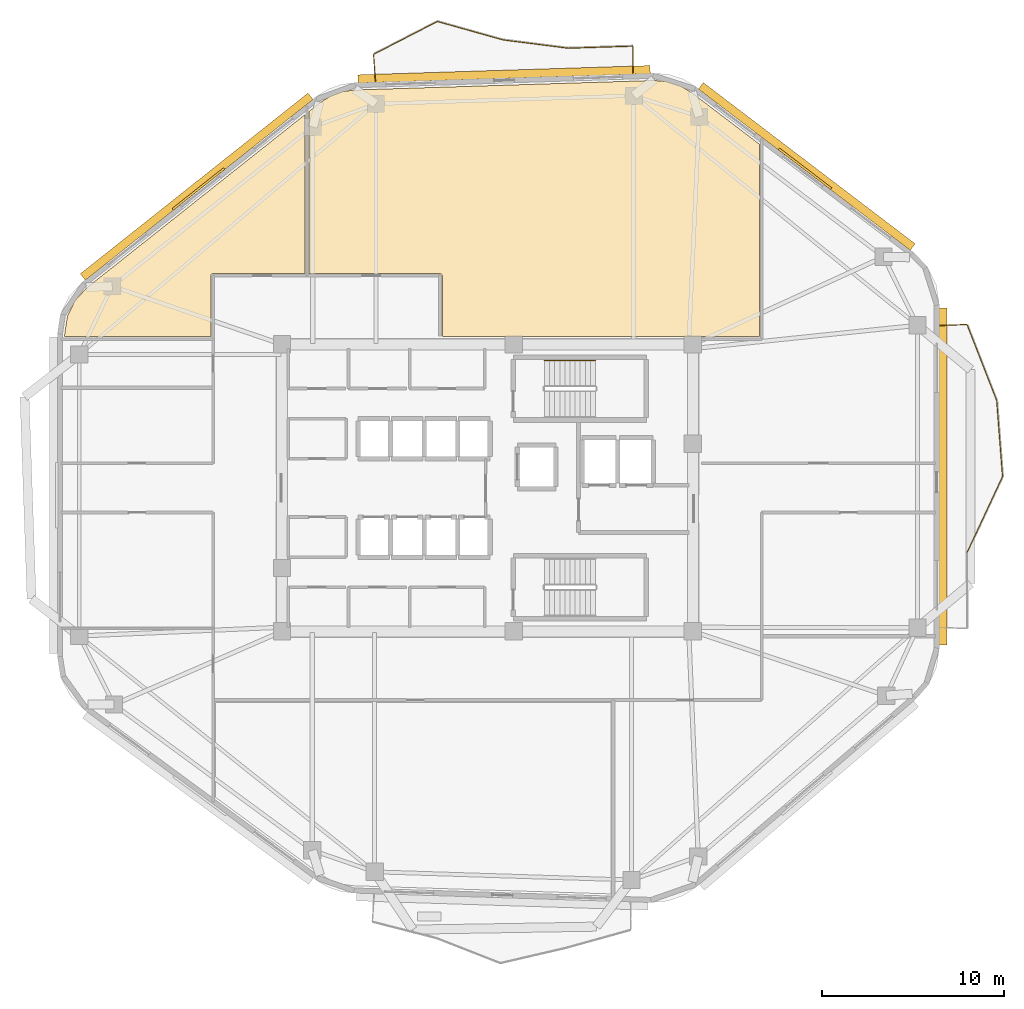
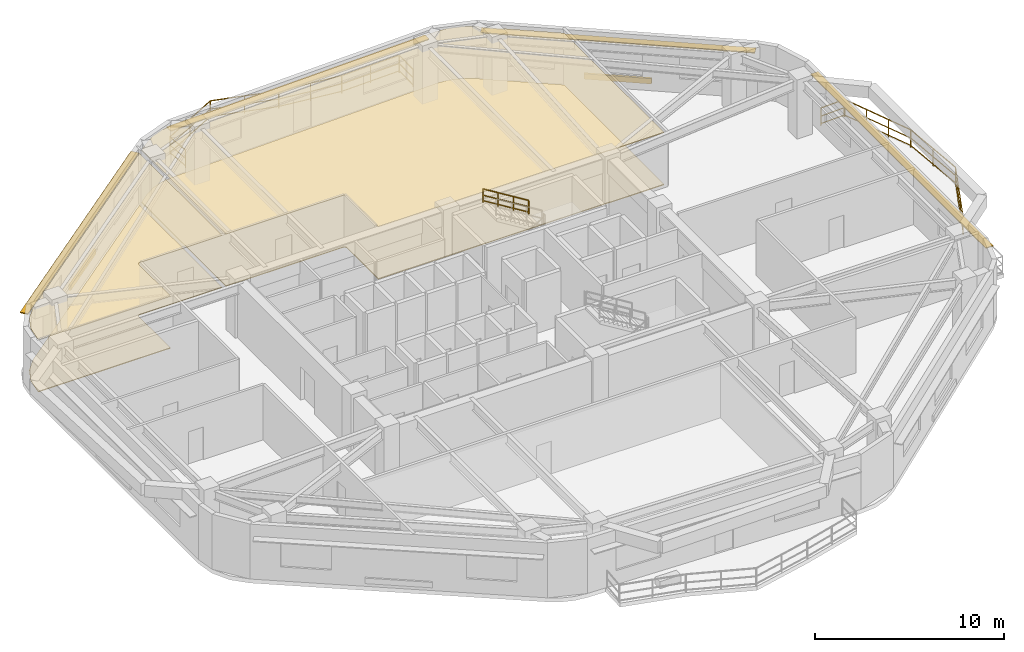
# One storey, part 8 of 8: 11 railings, 6 shading devices, 4 coverings.
"""IFC4 building model written with IfcOpenShell, lengths in metres."""

import ifcopenshell
import ifcopenshell.guid

model = None  # the IFC model being written
_history = None  # IfcOwnerHistory: only IFC2X3 demands one
_inside = {}  # id of a spatial element -> (the spatial element, [elements in it])
_under = {}  # id of a project, library or spatial element -> (it, [spatial elements below it])
_declared = {}  # id of a project -> (the project, [libraries it declares])
_typed = {}  # id of a type object -> (the type object, [elements of that type])
_made_of = {}  # id of a material, layer set ... -> (it, [elements and type objects made of it])


def new_model(schema):
    """Start an empty IFC model of exactly this schema.

    Asked for "IFC4X3", IfcOpenShell would pick the latest addendum, in which some entities
    have other attributes; the version numbers below select the first issue.
    IFC2X3 requires an IfcOwnerHistory on every rooted entity: one is made here for all.
    """
    global model, _history
    if schema == "IFC4X3":
        model = ifcopenshell.file(schema_version=(4, 3, 0, 0))
    else:
        model = ifcopenshell.file(schema=schema)
    _inside.clear()
    _under.clear()
    _declared.clear()
    _typed.clear()
    _made_of.clear()
    _history = None
    if model.schema == "IFC2X3":
        org = make("IfcOrganization", Name="unknown")
        user = make(
            "IfcPersonAndOrganization",
            ThePerson=make("IfcPerson", FamilyName="unknown"),
            TheOrganization=org,
        )
        app = make(
            "IfcApplication",
            ApplicationDeveloper=org,
            Version="unknown",
            ApplicationFullName="unknown",
            ApplicationIdentifier="unknown",
        )
        _history = make(
            "IfcOwnerHistory",
            OwningUser=user,
            OwningApplication=app,
            ChangeAction="ADDED",
            CreationDate=0,
        )
    return model


def make(cls, **values):
    """One entity of the class cls with the attributes given. An attribute that is None is left unset."""
    return model.create_entity(
        cls, **{name: value for name, value in values.items() if value is not None}
    )


def rooted(cls, **values):
    """An entity with a GlobalId (a new one), such as an element, a storey or a relation."""
    return make(cls, GlobalId=ifcopenshell.guid.new(), OwnerHistory=_history, **values)


def si_unit(unit_type, name, prefix=None):
    """IfcSIUnit, for example si_unit("LENGTHUNIT", "METRE", prefix="MILLI")."""
    return make("IfcSIUnit", UnitType=unit_type, Prefix=prefix, Name=name)


def assignment(units):
    """IfcUnitAssignment: the units of a project."""
    return None if units is None else make("IfcUnitAssignment", Units=units)


def point(xyz):
    """IfcCartesianPoint."""
    return None if xyz is None else make("IfcCartesianPoint", Coordinates=xyz)


def direction(xyz):
    """IfcDirection."""
    return None if xyz is None else make("IfcDirection", DirectionRatios=xyz)


def frame(location, z_axis=None, x_axis=None):
    """IfcAxis2Placement3D, a coordinate frame: its origin and axes. An axis left out is left unset."""
    return make(
        "IfcAxis2Placement3D",
        Location=point(location),
        Axis=direction(z_axis),
        RefDirection=direction(x_axis),
    )


def frame_2d(location, x_axis=None):
    """IfcAxis2Placement2D, a coordinate frame in the plane: its origin and x axis."""
    return make(
        "IfcAxis2Placement2D", Location=point(location), RefDirection=direction(x_axis)
    )


def origin():
    """The frame at (0, 0, 0) with its axes left unset."""
    return frame((0.0, 0.0, 0.0))


def origin_2d():
    """The frame at (0, 0) in the plane with its x axis left unset."""
    return frame_2d((0.0, 0.0))


def place(relative_to, where):
    """IfcLocalPlacement: puts the frame where relative to a parent placement (None: the world)."""
    return make(
        "IfcLocalPlacement", PlacementRelTo=relative_to, RelativePlacement=where
    )


def context(
    kind, dimensions, precision=None, world=None, true_north=None, identifier=None
):
    """IfcGeometricRepresentationContext, for example the 3D "Model" context."""
    return make(
        "IfcGeometricRepresentationContext",
        ContextIdentifier=identifier,
        ContextType=kind,
        CoordinateSpaceDimension=dimensions,
        Precision=precision,
        WorldCoordinateSystem=world,
        TrueNorth=true_north,
    )


def subcontext(parent, identifier, kind, view, scale=None):
    """IfcGeometricRepresentationSubContext, for example "Body" below "Model"."""
    return make(
        "IfcGeometricRepresentationSubContext",
        ContextIdentifier=identifier,
        ContextType=kind,
        ParentContext=parent,
        TargetScale=scale,
        TargetView=view,
    )


def project(units=None, contexts=None):
    """IfcProject with its units and contexts."""
    return rooted(
        "IfcProject",
        Name="project",
        RepresentationContexts=contexts,
        UnitsInContext=assignment(units),
    )


def spatial(cls, under=None, at=None, **own):
    """A site, building, storey or space (cls), placed at a placement, below another one or the project."""
    s = rooted(cls, ObjectPlacement=at, **own)
    if under is not None:
        _under.setdefault(under.id(), (under, []))[1].append(s)
    return s


def polyline(points):
    """IfcPolyline through the points."""
    return make("IfcPolyline", Points=[point(p) for p in points])


def profile(cls, at=None, kind="AREA", **sizes):
    """A parametric profile (cls). Its sizes go by their IFC names, for example OverallWidth=200.0."""
    return make(cls, ProfileType=kind, Position=at, **sizes)


def rectangle(**sizes):
    """IfcRectangleProfileDef."""
    return profile("IfcRectangleProfileDef", **sizes)


def outline(outer, holes=None, kind="AREA"):
    """IfcArbitraryClosedProfileDef: a profile drawn as a closed curve; with holes, ...WithVoids."""
    if holes is None:
        return make("IfcArbitraryClosedProfileDef", ProfileType=kind, OuterCurve=outer)
    return make(
        "IfcArbitraryProfileDefWithVoids",
        ProfileType=kind,
        OuterCurve=outer,
        InnerCurves=holes,
    )


def extrude(swept, where, along, depth):
    """IfcExtrudedAreaSolid: the profile swept, set in the frame where, extruded along a direction by depth."""
    return make(
        "IfcExtrudedAreaSolid",
        SweptArea=swept,
        Position=where,
        ExtrudedDirection=direction(along),
        Depth=depth,
    )


def shape(context_of_items, identifier, shape_type, items):
    """IfcShapeRepresentation: the items that make up one representation, for example the "Body"."""
    return make(
        "IfcShapeRepresentation",
        ContextOfItems=context_of_items,
        RepresentationIdentifier=identifier,
        RepresentationType=shape_type,
        Items=items,
    )


def material(Name=None, Category=None):
    """IfcMaterial."""
    return make("IfcMaterial", Name=Name, Category=Category)


def layer(
    of_material, thickness, ventilated=None, Name=None, Category=None, Priority=None
):
    """IfcMaterialLayer: one layer of a wall or slab, of a material (None: an air gap)."""
    return make(
        "IfcMaterialLayer",
        Material=of_material,
        LayerThickness=thickness,
        IsVentilated=ventilated,
        Name=Name,
        Category=Category,
        Priority=Priority,
    )


def layer_set(layers, Name=None):
    """IfcMaterialLayerSet."""
    return make("IfcMaterialLayerSet", MaterialLayers=layers, LayerSetName=Name)


def made_of(thing, what):
    """Note that an element or type object is made of a material, layer set ...; save() writes the relation."""
    if what is not None:
        _made_of.setdefault(what.id(), (what, []))[1].append(thing)
    return thing


def type_object(cls, material=None, **own):
    """A type object (cls), such as IfcWallType, which elements share."""
    return made_of(rooted(cls, **own), material)


def element(
    cls,
    number,
    at=None,
    inside=None,
    cuts=None,
    type_object=None,
    material=None,
    context=None,
    identifier="Body",
    shape_type=None,
    held_by="IfcProductDefinitionShape",
    body=None,
    shapes=None,
    **own,
):
    """One element of the class cls, such as IfcWall. Its Tag is "e" and its number.

    at: its placement. inside: the storey or other place that contains it. cuts: it is an
    opening in that element (IfcRelVoidsElement). A single representation is given by context,
    identifier, shape_type and body (its items); several are given by shapes. held_by: the class
    of the entity that holds the representations. save() writes the other relations.
    """
    e = rooted(cls, Tag="e%d" % number, ObjectPlacement=at, **own)
    if body is not None:
        shapes = [shape(context, identifier, shape_type, body)]
    if shapes is not None:
        e.Representation = make(held_by, Representations=shapes)
    if inside is not None:
        _inside.setdefault(inside.id(), (inside, []))[1].append(e)
    if cuts is not None:
        rooted(
            "IfcRelVoidsElement", RelatingBuildingElement=cuts, RelatedOpeningElement=e
        )
    if type_object is not None:
        _typed.setdefault(type_object.id(), (type_object, []))[1].append(e)
    return made_of(e, material)


def aggregate(whole, parts):
    """IfcRelAggregates: a whole, such as a stair, and the parts it consists of."""
    return rooted("IfcRelAggregates", RelatingObject=whole, RelatedObjects=parts)


def save(model, path):
    """Write the relations noted so far, then the file.

    IfcRelAggregates (storeys below a building ...), IfcRelContainedInSpatialStructure (elements
    in a storey), IfcRelDefinesByType, IfcRelAssociatesMaterial and IfcRelDeclares: one each for
    every whole, place, type object, material and project.
    """
    for whole, parts in _under.values():
        aggregate(whole, parts)
    for where, things in _inside.values():
        rooted(
            "IfcRelContainedInSpatialStructure",
            RelatedElements=things,
            RelatingStructure=where,
        )
    for kind, things in _typed.values():
        rooted("IfcRelDefinesByType", RelatedObjects=things, RelatingType=kind)
    for what, things in _made_of.values():
        rooted("IfcRelAssociatesMaterial", RelatedObjects=things, RelatingMaterial=what)
    for by, libraries in _declared.values():
        rooted("IfcRelDeclares", RelatingContext=by, RelatedDefinitions=libraries)
    model.write(path)


model = new_model("IFC4")

# Units and contexts
model_context = context("Model", 3, precision=1e-05, world=origin(), true_north=direction((0.0, 1.0)))
body_context = subcontext(model_context, "Body", "Model", "MODEL_VIEW")
ifc_project = project(units=[si_unit("LENGTHUNIT", "METRE"), si_unit("AREAUNIT", "SQUARE_METRE"), si_unit("VOLUMEUNIT", "CUBIC_METRE"), si_unit("PLANEANGLEUNIT", "RADIAN"), si_unit("MASSUNIT", "GRAM", prefix="KILO")], contexts=[model_context])

# Site, building, storey
site_placement = place(None, origin())
site = spatial("IfcSite", under=ifc_project, at=site_placement, CompositionType="ELEMENT")
building_placement = place(site_placement, origin())
building = spatial("IfcBuilding", under=site, at=building_placement, Name="Zulverin Broadcast Headquarters", CompositionType="ELEMENT")
storey_placement = place(building_placement, frame((0.0, 0.0, 166.800048828125)))
storey = spatial("IfcBuildingStorey", under=building, at=storey_placement, Name="L42", CompositionType="ELEMENT", Elevation=166.800048828125)

# Coverings
ifc_material_1 = material(Name="Perforated pale-metal acoustic baffle ceiling", Category="aluminium")
ifc_layer_1 = layer(ifc_material_1, 0.0400390625, Name="Perforated pale-metal acoustic baffle ceiling", Category="aluminium")
ifc_layer_set_1 = layer_set([ifc_layer_1], Name="Perforated pale-metal acoustic baffle ceiling")
covering_type_1 = type_object("IfcCoveringType", Name="COV-CEIL-ACOU", PredefinedType="CEILING", material=ifc_layer_set_1)
covering_1_placement = place(storey_placement, frame((0.0, 0.0, 3.35986328125)))
element("IfcCovering", 1, at=covering_1_placement, inside=storey, type_object=covering_type_1, Name="L42 Acoustic Baffle Ceiling 01", PredefinedType="CEILING", context=body_context, shape_type="SweptSolid", body=[
    extrude(outline(polyline([(21.951904296875, 36.971923828125), (26.97998046875, 36.971923828125), (26.97998046875, 45.679931640625), (15.031982421875, 36.199951171875), (14.364013671875, 35.47607421875), (13.947998046875, 34.615966796875), (13.800048828125, 33.64404296875), (13.800048828125, 33.5), (21.83203125, 33.5), (21.83203125, 36.85205078125), (21.83203125, 36.864013671875), (21.8359375, 36.8759765625), (21.8359375, 36.887939453125), (21.840087890625, 36.89599609375), (21.847900390625, 36.907958984375), (21.85205078125, 36.919921875), (21.860107421875, 36.927978515625), (21.867919921875, 36.93603515625), (21.8759765625, 36.944091796875), (21.884033203125, 36.951904296875), (21.89599609375, 36.9560546875), (21.907958984375, 36.964111328125), (21.916015625, 36.968017578125), (21.927978515625, 36.968017578125), (21.93994140625, 36.971923828125), (21.951904296875, 36.971923828125)])), origin(), (0.0, 0.0, 1.0), 0.0400390625),
])
covering_2_placement = place(storey_placement, frame((0.0, 0.0, 3.35986328125)))
element("IfcCovering", 2, at=covering_2_placement, inside=storey, type_object=covering_type_1, Name="L42 Acoustic Baffle Ceiling 02", PredefinedType="CEILING", context=body_context, shape_type="SweptSolid", body=[
    extrude(outline(polyline([(29.031982421875, 46.944091796875), (28.39599609375, 46.7080078125), (27.803955078125, 46.33203125), (27.219970703125, 45.867919921875), (27.219970703125, 36.971923828125), (34.360107421875, 36.971923828125), (34.3720703125, 36.971923828125), (34.384033203125, 36.968017578125), (34.39208984375, 36.968017578125), (34.39990234375, 36.964111328125), (34.407958984375, 36.964111328125), (34.419921875, 36.9599609375), (34.427978515625, 36.9560546875), (34.43603515625, 36.951904296875), (34.447998046875, 36.944091796875), (34.4599609375, 36.93603515625), (34.468017578125, 36.927978515625), (34.47607421875, 36.919921875), (34.48388671875, 36.912109375), (34.491943359375, 36.89990234375), (34.5, 36.887939453125), (34.50390625, 36.8798828125), (34.508056640625, 36.8720703125), (34.511962890625, 36.864013671875), (34.51611328125, 36.85205078125), (34.51611328125, 36.843994140625), (34.52001953125, 36.83203125), (34.52001953125, 36.820068359375), (34.52001953125, 33.52001953125), (48.568115234375, 33.52001953125), (48.580078125, 33.52001953125), (48.592041015625, 33.51611328125), (48.60009765625, 33.51611328125), (48.612060546875, 33.511962890625), (48.6201171875, 33.508056640625), (48.635986328125, 33.5), (51.927978515625, 33.5), (51.931884765625, 44.06005859375), (48.2080078125, 46.89208984375), (47.568115234375, 47.27587890625), (46.8759765625, 47.49609375), (46.1279296875, 47.56005859375), (44.10400390625, 47.49609375), (35.7041015625, 47.22802734375), (29.73193359375, 47.0400390625), (29.031982421875, 46.944091796875)])), origin(), (0.0, 0.0, 1.0), 0.0400390625),
])
ifc_material_2 = material(Name="Anti-static broadcast raised access flooring", Category="stone")
ifc_layer_2 = layer(ifc_material_2, 0.050048828125, Name="Anti-static broadcast raised access flooring", Category="stone")
ifc_layer_set_2 = layer_set([ifc_layer_2], Name="Anti-static broadcast raised access flooring")
covering_type_2 = type_object("IfcCoveringType", Name="COV-FLR-RAISED", PredefinedType="FLOORING", material=ifc_layer_set_2)
covering_3_placement = place(storey_placement, origin())
element("IfcCovering", 3, at=covering_3_placement, inside=storey, type_object=covering_type_2, Name="L42 Broadcast Raised Access Flooring 01", PredefinedType="FLOORING", context=body_context, shape_type="SweptSolid", body=[
    extrude(outline(polyline([(21.951904296875, 36.971923828125), (26.97998046875, 36.971923828125), (26.97998046875, 45.679931640625), (15.031982421875, 36.199951171875), (14.364013671875, 35.47607421875), (13.947998046875, 34.615966796875), (13.800048828125, 33.64404296875), (13.800048828125, 33.5), (21.83203125, 33.5), (21.83203125, 36.85205078125), (21.83203125, 36.864013671875), (21.8359375, 36.8759765625), (21.8359375, 36.887939453125), (21.840087890625, 36.89599609375), (21.847900390625, 36.907958984375), (21.85205078125, 36.919921875), (21.860107421875, 36.927978515625), (21.867919921875, 36.93603515625), (21.8759765625, 36.944091796875), (21.884033203125, 36.951904296875), (21.89599609375, 36.9560546875), (21.907958984375, 36.964111328125), (21.916015625, 36.968017578125), (21.927978515625, 36.968017578125), (21.93994140625, 36.971923828125), (21.951904296875, 36.971923828125)])), origin(), (0.0, 0.0, 1.0), 0.050048828125),
])
covering_4_placement = place(storey_placement, origin())
element("IfcCovering", 4, at=covering_4_placement, inside=storey, type_object=covering_type_2, Name="L42 Broadcast Raised Access Flooring 02", PredefinedType="FLOORING", context=body_context, shape_type="SweptSolid", body=[
    extrude(outline(polyline([(29.031982421875, 46.944091796875), (28.39599609375, 46.7080078125), (27.803955078125, 46.33203125), (27.219970703125, 45.867919921875), (27.219970703125, 36.971923828125), (34.360107421875, 36.971923828125), (34.3720703125, 36.971923828125), (34.384033203125, 36.968017578125), (34.39208984375, 36.968017578125), (34.39990234375, 36.964111328125), (34.407958984375, 36.964111328125), (34.419921875, 36.9599609375), (34.427978515625, 36.9560546875), (34.43603515625, 36.951904296875), (34.447998046875, 36.944091796875), (34.4599609375, 36.93603515625), (34.468017578125, 36.927978515625), (34.47607421875, 36.919921875), (34.48388671875, 36.912109375), (34.491943359375, 36.89990234375), (34.5, 36.887939453125), (34.50390625, 36.8798828125), (34.508056640625, 36.8720703125), (34.511962890625, 36.864013671875), (34.51611328125, 36.85205078125), (34.51611328125, 36.843994140625), (34.52001953125, 36.83203125), (34.52001953125, 36.820068359375), (34.52001953125, 33.52001953125), (48.568115234375, 33.52001953125), (48.580078125, 33.52001953125), (48.592041015625, 33.51611328125), (48.60009765625, 33.51611328125), (48.612060546875, 33.511962890625), (48.6201171875, 33.508056640625), (48.635986328125, 33.5), (51.927978515625, 33.5), (51.931884765625, 44.06005859375), (48.2080078125, 46.89208984375), (47.568115234375, 47.27587890625), (46.8759765625, 47.49609375), (46.1279296875, 47.56005859375), (44.10400390625, 47.49609375), (35.7041015625, 47.22802734375), (29.73193359375, 47.0400390625), (29.031982421875, 46.944091796875)])), origin(), (0.0, 0.0, 1.0), 0.050048828125),
])

# Railings
ifc_material_3 = material(Name="Brushed stainless steel & laminated glass balustrade", Category="steel")
railing_type_1 = type_object("IfcRailingType", Name="RL-GUARD-1150", PredefinedType="GUARDRAIL", material=ifc_material_3)
railing_1_placement = place(storey_placement, frame((63.326416015625, 21.658447265625, 0.0)))
element("IfcRailing", 5, at=railing_1_placement, inside=storey, type_object=railing_type_1, Name="L42 Vertical-Forest Balcony Guardrail BAL_E Segment 03", PredefinedType="GUARDRAIL", context=body_context, shape_type="SweptSolid", body=[
    extrude(rectangle(XDim=0.048095703125, YDim=0.048095703125, at=origin_2d()), frame((0.0, 0.0, 1.1259765625), z_axis=(0.423121903643, 0.906072764549, 0.0), x_axis=(-0.906072764549, 0.423121903643, 0.0)), (0.0, 0.0, 1.0), 4.578369140625),
    extrude(rectangle(XDim=0.0419921875, YDim=0.0419921875, at=origin_2d()), frame((0.0, 0.0, 0.597900390625), z_axis=(0.423121903643, 0.906072764549, 0.0), x_axis=(-0.906072764549, 0.423121903643, 0.0)), (0.0, 0.0, 1.0), 4.578369140625),
    extrude(rectangle(XDim=0.0419921875, YDim=0.0419921875, at=origin_2d()), frame((0.0, 0.0, 0.1201171875), z_axis=(0.423121903643, 0.906072764549, 0.0), x_axis=(-0.906072764549, 0.423121903643, 0.0)), (0.0, 0.0, 1.0), 4.578369140625),
    extrude(rectangle(XDim=0.0419921875, YDim=0.0419921875, at=origin_2d()), origin(), (0.0, 0.0, 1.0), 1.101806640625),
    extrude(rectangle(XDim=0.0419921875, YDim=0.0419921875, at=origin_2d()), frame((0.645751953125, 1.3828125, 0.0)), (0.0, 0.0, 1.0), 1.101806640625),
    extrude(rectangle(XDim=0.0419921875, YDim=0.0419921875, at=origin_2d()), frame((1.29150390625, 2.765625, 0.0)), (0.0, 0.0, 1.0), 1.101806640625),
    extrude(rectangle(XDim=0.0419921875, YDim=0.0419921875, at=origin_2d()), frame((1.937255859375, 4.1484375, 0.0)), (0.0, 0.0, 1.0), 1.101806640625),
])
railing_2_placement = place(storey_placement, frame((65.268798828125, 25.83544921875, 0.0)))
element("IfcRailing", 6, at=railing_2_placement, inside=storey, type_object=railing_type_1, Name="L42 Vertical-Forest Balcony Guardrail BAL_E Segment 04", PredefinedType="GUARDRAIL", context=body_context, shape_type="SweptSolid", body=[
    extrude(rectangle(XDim=0.048095703125, YDim=0.048095703125, at=origin_2d()), frame((0.0, 0.0, 1.1259765625), z_axis=(-0.076512392547, 0.99706863043, 0.0), x_axis=(-0.99706863043, -0.076512392547, 0.0)), (0.0, 0.0, 1.0), 4.15771484375),
    extrude(rectangle(XDim=0.0419921875, YDim=0.0419921875, at=origin_2d()), frame((0.0, 0.0, 0.597900390625), z_axis=(-0.076512392547, 0.99706863043, 0.0), x_axis=(-0.99706863043, -0.076512392547, 0.0)), (0.0, 0.0, 1.0), 4.15771484375),
    extrude(rectangle(XDim=0.0419921875, YDim=0.0419921875, at=origin_2d()), frame((0.0, 0.0, 0.1201171875), z_axis=(-0.076512392547, 0.99706863043, 0.0), x_axis=(-0.99706863043, -0.076512392547, 0.0)), (0.0, 0.0, 1.0), 4.15771484375),
    extrude(rectangle(XDim=0.0419921875, YDim=0.0419921875, at=origin_2d()), origin(), (0.0, 0.0, 1.0), 1.101806640625),
    extrude(rectangle(XDim=0.0419921875, YDim=0.0419921875, at=origin_2d()), frame((-0.1591796875, 2.07275390625, 0.0)), (0.0, 0.0, 1.0), 1.101806640625),
    extrude(rectangle(XDim=0.0419921875, YDim=0.0419921875, at=origin_2d()), frame((-0.318115234375, 4.1455078125, 0.0)), (0.0, 0.0, 1.0), 1.101806640625),
])
railing_3_placement = place(storey_placement, frame((64.944091796875, 30.010009765625, 0.0)))
element("IfcRailing", 7, at=railing_3_placement, inside=storey, type_object=railing_type_1, Name="L42 Vertical-Forest Balcony Guardrail BAL_E Segment 05", PredefinedType="GUARDRAIL", context=body_context, shape_type="SweptSolid", body=[
    extrude(rectangle(XDim=0.048095703125, YDim=0.048095703125, at=origin_2d()), frame((0.0, 0.0, 1.1259765625), z_axis=(-0.363568021292, 0.931567653954, 0.0), x_axis=(-0.931567653954, -0.363568021292, 0.0)), (0.0, 0.0, 1.0), 4.4521484375),
    extrude(rectangle(XDim=0.0419921875, YDim=0.0419921875, at=origin_2d()), frame((0.0, 0.0, 0.597900390625), z_axis=(-0.363568021292, 0.931567653954, 0.0), x_axis=(-0.931567653954, -0.363568021292, 0.0)), (0.0, 0.0, 1.0), 4.4521484375),
    extrude(rectangle(XDim=0.0419921875, YDim=0.0419921875, at=origin_2d()), frame((0.0, 0.0, 0.1201171875), z_axis=(-0.363568021292, 0.931567653954, 0.0), x_axis=(-0.931567653954, -0.363568021292, 0.0)), (0.0, 0.0, 1.0), 4.4521484375),
    extrude(rectangle(XDim=0.0419921875, YDim=0.0419921875, at=origin_2d()), origin(), (0.0, 0.0, 1.0), 1.101806640625),
    extrude(rectangle(XDim=0.0419921875, YDim=0.0419921875, at=origin_2d()), frame((-0.53955078125, 1.382568359375, 0.0)), (0.0, 0.0, 1.0), 1.101806640625),
    extrude(rectangle(XDim=0.0419921875, YDim=0.0419921875, at=origin_2d()), frame((-1.0791015625, 2.764892578125, 0.0)), (0.0, 0.0, 1.0), 1.101806640625),
    extrude(rectangle(XDim=0.0419921875, YDim=0.0419921875, at=origin_2d()), frame((-1.61865234375, 4.1474609375, 0.0)), (0.0, 0.0, 1.0), 1.101806640625),
])
railing_4_placement = place(storey_placement, frame((63.304931640625, 34.1708984375, 0.0)))
element("IfcRailing", 8, at=railing_4_placement, inside=storey, type_object=railing_type_1, Name="L42 Vertical-Forest Balcony Guardrail BAL_E Segment 06", PredefinedType="GUARDRAIL", context=body_context, shape_type="SweptSolid", body=[
    extrude(rectangle(XDim=0.048095703125, YDim=0.048095703125, at=origin_2d()), frame((0.0, 0.0, 1.1259765625), z_axis=(-0.99918088253, -0.040466825742, 0.0), x_axis=(0.040466825742, -0.99918088253, 0.0)), (0.0, 0.0, 1.0), 1.466064453125),
    extrude(rectangle(XDim=0.0419921875, YDim=0.0419921875, at=origin_2d()), frame((0.0, 0.0, 0.597900390625), z_axis=(-0.99918088253, -0.040466825742, 0.0), x_axis=(0.040466825742, -0.99918088253, 0.0)), (0.0, 0.0, 1.0), 1.466064453125),
    extrude(rectangle(XDim=0.0419921875, YDim=0.0419921875, at=origin_2d()), frame((0.0, 0.0, 0.1201171875), z_axis=(-0.99918088253, -0.040466825742, 0.0), x_axis=(0.040466825742, -0.99918088253, 0.0)), (0.0, 0.0, 1.0), 1.466064453125),
    extrude(rectangle(XDim=0.0419921875, YDim=0.0419921875, at=origin_2d()), origin(), (0.0, 0.0, 1.0), 1.101806640625),
    extrude(rectangle(XDim=0.0419921875, YDim=0.0419921875, at=origin_2d()), frame((-1.46484375, -0.059326171875, 0.0)), (0.0, 0.0, 1.0), 1.101806640625),
])
railing_5_placement = place(storey_placement, frame((44.978271484375, 47.962646484375, 0.0)))
element("IfcRailing", 9, at=railing_5_placement, inside=storey, type_object=railing_type_1, Name="L42 Vertical-Forest Balcony Guardrail BAL_N Segment 01", PredefinedType="GUARDRAIL", context=body_context, shape_type="SweptSolid", body=[
    extrude(rectangle(XDim=0.048095703125, YDim=0.048095703125, at=origin_2d()), frame((0.0, 0.0, 1.1259765625), z_axis=(0.008825634609, 0.999961053328, 0.0), x_axis=(-0.999961053328, 0.008825634609, 0.0)), (0.0, 0.0, 1.0), 1.466064453125),
    extrude(rectangle(XDim=0.0419921875, YDim=0.0419921875, at=origin_2d()), frame((0.0, 0.0, 0.597900390625), z_axis=(0.008825634609, 0.999961053328, 0.0), x_axis=(-0.999961053328, 0.008825634609, 0.0)), (0.0, 0.0, 1.0), 1.466064453125),
    extrude(rectangle(XDim=0.0419921875, YDim=0.0419921875, at=origin_2d()), frame((0.0, 0.0, 0.1201171875), z_axis=(0.008825634609, 0.999961053328, 0.0), x_axis=(-0.999961053328, 0.008825634609, 0.0)), (0.0, 0.0, 1.0), 1.466064453125),
    extrude(rectangle(XDim=0.0419921875, YDim=0.0419921875, at=origin_2d()), origin(), (0.0, 0.0, 1.0), 1.101806640625),
    extrude(rectangle(XDim=0.0419921875, YDim=0.0419921875, at=origin_2d()), frame((0.012939453125, 1.466064453125, 0.0)), (0.0, 0.0, 1.0), 1.101806640625),
])
railing_6_placement = place(storey_placement, frame((44.976318359375, 49.443359375, 0.0)))
element("IfcRailing", 10, at=railing_6_placement, inside=storey, type_object=railing_type_1, Name="L42 Vertical-Forest Balcony Guardrail BAL_N Segment 02", PredefinedType="GUARDRAIL", context=body_context, shape_type="SweptSolid", body=[
    extrude(rectangle(XDim=0.048095703125, YDim=0.048095703125, at=origin_2d()), frame((0.0, 0.0, 1.1259765625), z_axis=(-0.999496927381, -0.03171580295, 0.0), x_axis=(0.03171580295, -0.999496927381, 0.0)), (0.0, 0.0, 1.0), 3.533203125),
    extrude(rectangle(XDim=0.0419921875, YDim=0.0419921875, at=origin_2d()), frame((0.0, 0.0, 0.597900390625), z_axis=(-0.999496927381, -0.03171580295, 0.0), x_axis=(0.03171580295, -0.999496927381, 0.0)), (0.0, 0.0, 1.0), 3.533203125),
    extrude(rectangle(XDim=0.0419921875, YDim=0.0419921875, at=origin_2d()), frame((0.0, 0.0, 0.1201171875), z_axis=(-0.999496927381, -0.03171580295, 0.0), x_axis=(0.03171580295, -0.999496927381, 0.0)), (0.0, 0.0, 1.0), 3.533203125),
    extrude(rectangle(XDim=0.0419921875, YDim=0.0419921875, at=origin_2d()), origin(), (0.0, 0.0, 1.0), 1.101806640625),
    extrude(rectangle(XDim=0.0419921875, YDim=0.0419921875, at=origin_2d()), frame((-1.765625, -0.05615234375, 0.0)), (0.0, 0.0, 1.0), 1.101806640625),
    extrude(rectangle(XDim=0.0419921875, YDim=0.0419921875, at=origin_2d()), frame((-3.531494140625, -0.112060546875, 0.0)), (0.0, 0.0, 1.0), 1.101806640625),
])
railing_7_placement = place(storey_placement, frame((41.4150390625, 49.332763671875, 0.0)))
element("IfcRailing", 11, at=railing_7_placement, inside=storey, type_object=railing_type_1, Name="L42 Vertical-Forest Balcony Guardrail BAL_N Segment 03", PredefinedType="GUARDRAIL", context=body_context, shape_type="SweptSolid", body=[
    extrude(rectangle(XDim=0.048095703125, YDim=0.048095703125, at=origin_2d()), frame((0.0, 0.0, 1.1259765625), z_axis=(-0.991958712042, 0.126561896337, 0.0), x_axis=(-0.126561896337, -0.991958712042, 0.0)), (0.0, 0.0, 1.0), 3.578369140625),
    extrude(rectangle(XDim=0.0419921875, YDim=0.0419921875, at=origin_2d()), frame((0.0, 0.0, 0.597900390625), z_axis=(-0.991958712042, 0.126561896337, 0.0), x_axis=(-0.126561896337, -0.991958712042, 0.0)), (0.0, 0.0, 1.0), 3.578369140625),
    extrude(rectangle(XDim=0.0419921875, YDim=0.0419921875, at=origin_2d()), frame((0.0, 0.0, 0.1201171875), z_axis=(-0.991958712042, 0.126561896337, 0.0), x_axis=(-0.126561896337, -0.991958712042, 0.0)), (0.0, 0.0, 1.0), 3.578369140625),
    extrude(rectangle(XDim=0.0419921875, YDim=0.0419921875, at=origin_2d()), origin(), (0.0, 0.0, 1.0), 1.101806640625),
    extrude(rectangle(XDim=0.0419921875, YDim=0.0419921875, at=origin_2d()), frame((-1.77490234375, 0.2265625, 0.0)), (0.0, 0.0, 1.0), 1.101806640625),
    extrude(rectangle(XDim=0.0419921875, YDim=0.0419921875, at=origin_2d()), frame((-3.549560546875, 0.452880859375, 0.0)), (0.0, 0.0, 1.0), 1.101806640625),
])
railing_8_placement = place(storey_placement, frame((37.836181640625, 49.791748046875, 0.0)))
element("IfcRailing", 12, at=railing_8_placement, inside=storey, type_object=railing_type_1, Name="L42 Vertical-Forest Balcony Guardrail BAL_N Segment 04", PredefinedType="GUARDRAIL", context=body_context, shape_type="SweptSolid", body=[
    extrude(rectangle(XDim=0.048095703125, YDim=0.048095703125, at=origin_2d()), frame((0.0, 0.0, 1.1259765625), z_axis=(-0.962715289952, 0.270516673223, 0.0), x_axis=(-0.270516673223, -0.962715289952, 0.0)), (0.0, 0.0, 1.0), 3.70654296875),
    extrude(rectangle(XDim=0.0419921875, YDim=0.0419921875, at=origin_2d()), frame((0.0, 0.0, 0.597900390625), z_axis=(-0.962715289952, 0.270516673223, 0.0), x_axis=(-0.270516673223, -0.962715289952, 0.0)), (0.0, 0.0, 1.0), 3.70654296875),
    extrude(rectangle(XDim=0.0419921875, YDim=0.0419921875, at=origin_2d()), frame((0.0, 0.0, 0.1201171875), z_axis=(-0.962715289952, 0.270516673223, 0.0), x_axis=(-0.270516673223, -0.962715289952, 0.0)), (0.0, 0.0, 1.0), 3.70654296875),
    extrude(rectangle(XDim=0.0419921875, YDim=0.0419921875, at=origin_2d()), origin(), (0.0, 0.0, 1.0), 1.101806640625),
    extrude(rectangle(XDim=0.0419921875, YDim=0.0419921875, at=origin_2d()), frame((-1.7841796875, 0.50146484375, 0.0)), (0.0, 0.0, 1.0), 1.101806640625),
    extrude(rectangle(XDim=0.0419921875, YDim=0.0419921875, at=origin_2d()), frame((-3.568359375, 1.002685546875, 0.0)), (0.0, 0.0, 1.0), 1.101806640625),
])
railing_9_placement = place(storey_placement, frame((34.240234375, 50.79150390625, 0.0)))
element("IfcRailing", 13, at=railing_9_placement, inside=storey, type_object=railing_type_1, Name="L42 Vertical-Forest Balcony Guardrail BAL_N Segment 05", PredefinedType="GUARDRAIL", context=body_context, shape_type="SweptSolid", body=[
    extrude(rectangle(XDim=0.048095703125, YDim=0.048095703125, at=origin_2d()), frame((0.0, 0.0, 1.1259765625), z_axis=(-0.889026089134, -0.457856541767, 0.0), x_axis=(0.457856541767, -0.889026089134, 0.0)), (0.0, 0.0, 1.0), 3.91552734375),
    extrude(rectangle(XDim=0.0419921875, YDim=0.0419921875, at=origin_2d()), frame((0.0, 0.0, 0.597900390625), z_axis=(-0.889026089134, -0.457856541767, 0.0), x_axis=(0.457856541767, -0.889026089134, 0.0)), (0.0, 0.0, 1.0), 3.91552734375),
    extrude(rectangle(XDim=0.0419921875, YDim=0.0419921875, at=origin_2d()), frame((0.0, 0.0, 0.1201171875), z_axis=(-0.889026089134, -0.457856541767, 0.0), x_axis=(0.457856541767, -0.889026089134, 0.0)), (0.0, 0.0, 1.0), 3.91552734375),
    extrude(rectangle(XDim=0.0419921875, YDim=0.0419921875, at=origin_2d()), origin(), (0.0, 0.0, 1.0), 1.101806640625),
    extrude(rectangle(XDim=0.0419921875, YDim=0.0419921875, at=origin_2d()), frame((-1.740478515625, -0.896484375, 0.0)), (0.0, 0.0, 1.0), 1.101806640625),
    extrude(rectangle(XDim=0.0419921875, YDim=0.0419921875, at=origin_2d()), frame((-3.48095703125, -1.792724609375, 0.0)), (0.0, 0.0, 1.0), 1.101806640625),
])
railing_10_placement = place(storey_placement, frame((30.7470703125, 48.976806640625, 0.0)))
element("IfcRailing", 14, at=railing_10_placement, inside=storey, type_object=railing_type_1, Name="L42 Vertical-Forest Balcony Guardrail BAL_N Segment 06", PredefinedType="GUARDRAIL", context=body_context, shape_type="SweptSolid", body=[
    extrude(rectangle(XDim=0.048095703125, YDim=0.048095703125, at=origin_2d()), frame((0.0, 0.0, 1.1259765625), z_axis=(0.072110992432, -0.997396613575, 0.0), x_axis=(0.997396613575, 0.072110992432, 0.0)), (0.0, 0.0, 1.0), 1.466064453125),
    extrude(rectangle(XDim=0.0419921875, YDim=0.0419921875, at=origin_2d()), frame((0.0, 0.0, 0.597900390625), z_axis=(0.072110992432, -0.997396613575, 0.0), x_axis=(0.997396613575, 0.072110992432, 0.0)), (0.0, 0.0, 1.0), 1.466064453125),
    extrude(rectangle(XDim=0.0419921875, YDim=0.0419921875, at=origin_2d()), frame((0.0, 0.0, 0.1201171875), z_axis=(0.072110992432, -0.997396613575, 0.0), x_axis=(0.997396613575, 0.072110992432, 0.0)), (0.0, 0.0, 1.0), 1.466064453125),
    extrude(rectangle(XDim=0.0419921875, YDim=0.0419921875, at=origin_2d()), origin(), (0.0, 0.0, 1.0), 1.101806640625),
    extrude(rectangle(XDim=0.0419921875, YDim=0.0419921875, at=origin_2d()), frame((0.105712890625, -1.462158203125, 0.0)), (0.0, 0.0, 1.0), 1.101806640625),
])
ifc_material_4 = material(Name="Brushed stainless steel 48 mm handrail", Category="steel")
railing_type_2 = type_object("IfcRailingType", Name="RL-ST-HAND", PredefinedType="HANDRAIL", material=ifc_material_4)
railing_11_placement = place(storey_placement, frame((42.929931640625, 32.199951171875, 2.07275390625)))
element("IfcRailing", 15, at=railing_11_placement, inside=storey, type_object=railing_type_2, Name="L42 ST-1 stair handrail 2", PredefinedType="HANDRAIL", context=body_context, shape_type="SweptSolid", body=[
    extrude(rectangle(XDim=0.048095703125, YDim=0.048095703125, at=origin_2d()), frame((0.0, 0.0, 0.8759765625), z_axis=(-0.851089632645, 0.0, 0.525020415988), x_axis=(0.0, -1.0, 0.0)), (0.0, 0.0, 1.0), 3.2900390625),
    extrude(rectangle(XDim=0.0419921875, YDim=0.0419921875, at=origin_2d()), frame((0.0, 0.0, 0.468017578125), z_axis=(-0.851089632645, 0.0, 0.525020415988), x_axis=(0.0, -1.0, 0.0)), (0.0, 0.0, 1.0), 3.2900390625),
    extrude(rectangle(XDim=0.0419921875, YDim=0.0419921875, at=origin_2d()), frame((0.0, 0.0, 0.1201171875), z_axis=(-0.851089632645, 0.0, 0.525020415988), x_axis=(0.0, -1.0, 0.0)), (0.0, 0.0, 1.0), 3.2900390625),
    extrude(rectangle(XDim=0.0419921875, YDim=0.0419921875, at=origin_2d()), origin(), (0.0, 0.0, 1.0), 0.851806640625),
    extrude(rectangle(XDim=0.0419921875, YDim=0.0419921875, at=origin_2d()), frame((-0.933349609375, 0.0, 0.57568359375)), (0.0, 0.0, 1.0), 0.851806640625),
    extrude(rectangle(XDim=0.0419921875, YDim=0.0419921875, at=origin_2d()), frame((-1.86669921875, 0.0, 1.151611328125)), (0.0, 0.0, 1.0), 0.851806640625),
    extrude(rectangle(XDim=0.0419921875, YDim=0.0419921875, at=origin_2d()), frame((-2.800048828125, 0.0, 1.727294921875)), (0.0, 0.0, 1.0), 0.851806640625),
])

# Shading devices
ifc_material_5 = material(Name="Anodized pale-metal aluminium acoustic louvre", Category="aluminium")
shading_device_type_1 = type_object("IfcShadingDeviceType", Name="SHD-LOUVRE-350", PredefinedType="USERDEFINED", material=ifc_material_5)
for number, where, z_axis, x_axis, name in (
    (16, (54.4306640625, 42.713134765625, 0.244873046875), (0.0, 0.0, 1.0), (-0.795836111996, 0.605512083152, 0.0), "L42 Spandrel Intake Louvre 4"),
    (17, (21.1416015625, 41.607421875, 0.244873046875), (0.0, 0.0, 1.0), (-0.783270473924, -0.621681079556, 0.0), "L42 Spandrel Intake Louvre 6"),
):
    element("IfcShadingDevice", number, at=place(storey_placement, frame(where, z_axis=z_axis, x_axis=x_axis)), inside=storey, type_object=shading_device_type_1, Name=name, ObjectType="LOUVRE", PredefinedType="USERDEFINED", context=body_context, shape_type="SweptSolid", body=[
        extrude(rectangle(XDim=3.60009765625, YDim=0.1201171875, at=origin_2d()), origin(), (0.0, 0.0, 1.0), 0.35009765625),
    ])
ifc_material_6 = material(Name="Anodized pale-metal aluminium sunshade", Category="aluminium")
ifc_layer_3 = layer(ifc_material_6, 0.06005859375, Name="Anodized pale-metal aluminium sunshade", Category="aluminium")
ifc_layer_set_3 = layer_set([ifc_layer_3], Name="Anodized pale-metal aluminium sunshade")
shading_device_type_2 = type_object("IfcShadingDeviceType", Name="SS-01_PALE_METAL_ALUMINIUM_SUNSHADE", PredefinedType="USERDEFINED", material=ifc_layer_set_3)
shading_device_1_placement = place(storey_placement, frame((62.0, 25.8203125, 2.7099609375), z_axis=(0.0, 0.0, 1.0), x_axis=(0.0, 1.0, 0.0)))
element("IfcShadingDevice", 18, at=shading_device_1_placement, inside=storey, type_object=shading_device_type_2, Name="L42 Horizontal Pale-Metal Sunshade Band 3", ObjectType="SUNSHADE", PredefinedType="USERDEFINED", context=body_context, shape_type="SweptSolid", body=[
    extrude(rectangle(XDim=18.502197265625, YDim=0.449951171875, at=origin_2d()), origin(), (0.0, 0.0, 1.0), 0.06005859375),
])
shading_device_2_placement = place(storey_placement, frame((54.527587890625, 42.840576171875, 2.7099609375), z_axis=(0.0, 0.0, 1.0), x_axis=(-0.795836111996, 0.605512083152, 0.0)))
element("IfcShadingDevice", 19, at=shading_device_2_placement, inside=storey, type_object=shading_device_type_2, Name="L42 Horizontal Pale-Metal Sunshade Band 4", ObjectType="SUNSHADE", PredefinedType="USERDEFINED", context=body_context, shape_type="SweptSolid", body=[
    extrude(rectangle(XDim=14.61181640625, YDim=0.449951171875, at=origin_2d()), origin(), (0.0, 0.0, 1.0), 0.06005859375),
])
shading_device_3_placement = place(storey_placement, frame((37.910400390625, 47.8984375, 2.7099609375), z_axis=(0.0, 0.0, 1.0), x_axis=(-0.999497141269, -0.031709061709, 0.0)))
element("IfcShadingDevice", 20, at=shading_device_3_placement, inside=storey, type_object=shading_device_type_2, Name="L42 Horizontal Pale-Metal Sunshade Band 5", ObjectType="SUNSHADE", PredefinedType="USERDEFINED", context=body_context, shape_type="SweptSolid", body=[
    extrude(rectangle(XDim=16.052490234375, YDim=0.449951171875, at=origin_2d()), origin(), (0.0, 0.0, 1.0), 0.06005859375),
])
shading_device_4_placement = place(storey_placement, frame((21.0419921875, 41.73291015625, 2.7099609375), z_axis=(0.0, 0.0, 1.0), x_axis=(-0.783270473924, -0.621681079556, 0.0)))
element("IfcShadingDevice", 21, at=shading_device_4_placement, inside=storey, type_object=shading_device_type_2, Name="L42 Horizontal Pale-Metal Sunshade Band 6", ObjectType="SUNSHADE", PredefinedType="USERDEFINED", context=body_context, shape_type="SweptSolid", body=[
    extrude(rectangle(XDim=15.953125, YDim=0.449951171875, at=origin_2d()), origin(), (0.0, 0.0, 1.0), 0.06005859375),
])

save(model, "model.ifc")
